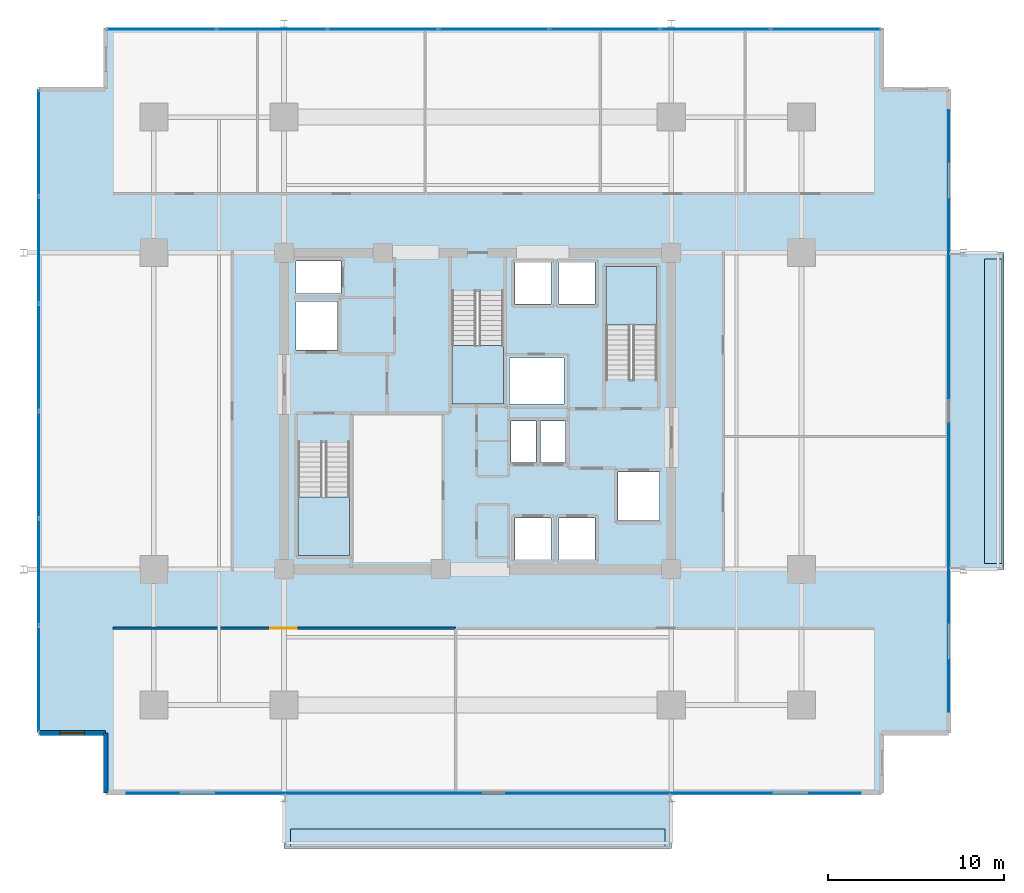
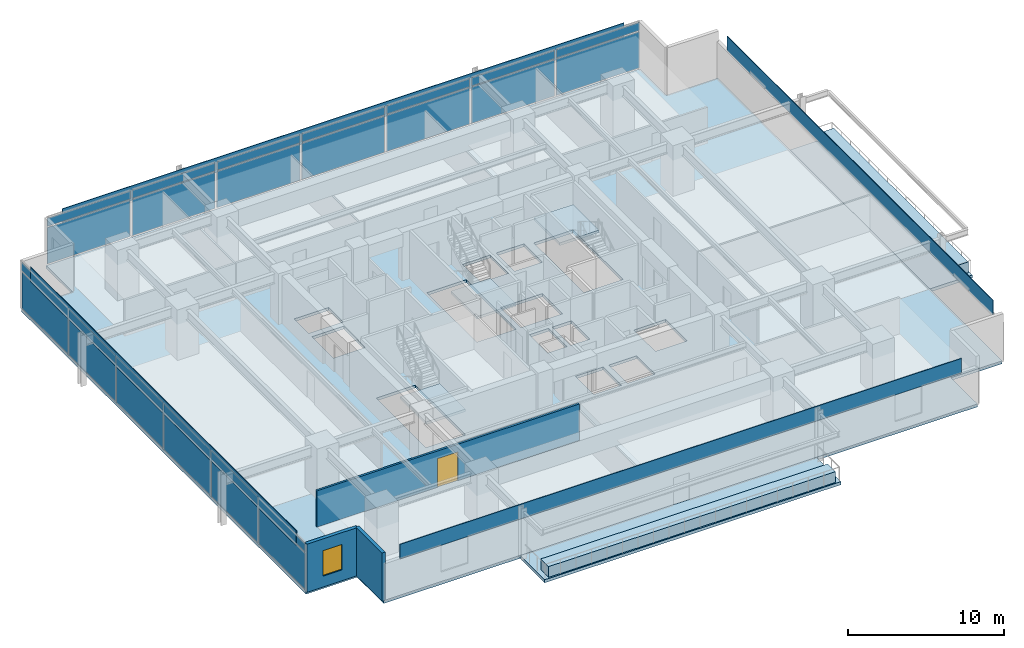
# One storey, part 12 of 21: 30 plates, 8 slabs, 3 walls, 1 door, 1 window, 2 openings, 5 elements without a shape of their own.
"""IFC4 building model written with IfcOpenShell, lengths in metres."""

from ifc_helpers import new_model, si_unit, direction, frame, frame_2d, origin, origin_2d, place, context, subcontext, project, spatial, polyline, rectangle, outline, extrude, material, layer, layer_set, type_object, element, fill, aggregate, save


model = new_model("IFC4")

# Units and contexts
model_context = context("Model", 3, precision=1e-05, world=origin(), true_north=direction((0.0, 1.0)))
body_context = subcontext(model_context, "Body", "Model", "MODEL_VIEW")
ifc_project = project(units=[si_unit("LENGTHUNIT", "METRE"), si_unit("AREAUNIT", "SQUARE_METRE"), si_unit("VOLUMEUNIT", "CUBIC_METRE"), si_unit("PLANEANGLEUNIT", "RADIAN"), si_unit("MASSUNIT", "GRAM", prefix="KILO")], contexts=[model_context])

# Site, building, storey
site_placement = place(None, origin())
site = spatial("IfcSite", under=ifc_project, at=site_placement, CompositionType="ELEMENT")
building_placement = place(site_placement, origin())
building = spatial("IfcBuilding", under=site, at=building_placement, Name="Kovane Verandah Tower", CompositionType="ELEMENT")
storey_placement = place(building_placement, frame((0.0, 0.0, 176.39990234375)))
storey = spatial("IfcBuildingStorey", under=building, at=storey_placement, Name="L41", CompositionType="ELEMENT", Elevation=176.39990234375)

# Curtain wall, plates
ifc_material_1 = material(Name="Champagne Anodised Aluminium Frame with Low-E Clear Laminated Glass", Category="aluminium")
curtain_wall_type = type_object("IfcCurtainWallType", Name="CW-SYS-03-MID", PredefinedType="NOTDEFINED", material=ifc_material_1)
curtain_wall_1_placement = place(storey_placement, origin())
curtain_wall_1 = element("IfcCurtainWall", 1, at=curtain_wall_1_placement, inside=storey, type_object=curtain_wall_type, Name="L41 N Unitised Curtain Wall", PredefinedType="NOTDEFINED")
ifc_material_2 = material(Name="Pale Champagne Anodised Aluminium Insulated Spandrel", Category="aluminium")
ifc_layer_1 = layer(ifc_material_2, 0.0400390625)
ifc_layer_set_1 = layer_set([ifc_layer_1], Name="Pale Champagne Anodised Aluminium Insulated Spandrel")
plate_type_1 = type_object("IfcPlateType", Name="PL-CW-SPD-40", PredefinedType="SHEET", material=ifc_layer_set_1)
plate_1_placement = place(storey_placement, frame((59.806396484375, 49.195068359375, 3.044921875), z_axis=(0.0, 0.0, 1.0), x_axis=(-1.0, 0.0, 0.0)))
plate_1 = element("IfcPlate", 2, at=plate_1_placement, type_object=plate_type_1, Name="L41 N Unitised Curtain Wall Spandrel Panel 1", PredefinedType="SHEET", context=body_context, shape_type="SweptSolid", body=[
    extrude(rectangle(XDim=6.15869140625, YDim=0.0400390625, at=origin_2d()), origin(), (0.0, 0.0, 1.0), 0.639892578125),
])
plate_2_placement = place(storey_placement, frame((53.507568359375, 49.195068359375, 3.044921875), z_axis=(0.0, 0.0, 1.0), x_axis=(-1.0, 0.0, 0.0)))
plate_2 = element("IfcPlate", 3, at=plate_2_placement, type_object=plate_type_1, Name="L41 N Unitised Curtain Wall Spandrel Panel 2", PredefinedType="SHEET", context=body_context, shape_type="SweptSolid", body=[
    extrude(rectangle(XDim=6.15869140625, YDim=0.0400390625, at=origin_2d()), origin(), (0.0, 0.0, 1.0), 0.639892578125),
])
plate_3_placement = place(storey_placement, frame((47.208740234375, 49.195068359375, 3.044921875), z_axis=(0.0, 0.0, 1.0), x_axis=(-1.0, 0.0, 0.0)))
plate_3 = element("IfcPlate", 4, at=plate_3_placement, type_object=plate_type_1, Name="L41 N Unitised Curtain Wall Spandrel Panel 3", PredefinedType="SHEET", context=body_context, shape_type="SweptSolid", body=[
    extrude(rectangle(XDim=6.15869140625, YDim=0.0400390625, at=origin_2d()), origin(), (0.0, 0.0, 1.0), 0.639892578125),
])
plate_4_placement = place(storey_placement, frame((40.909912109375, 49.195068359375, 3.044921875), z_axis=(0.0, 0.0, 1.0), x_axis=(-1.0, 0.0, 0.0)))
plate_4 = element("IfcPlate", 5, at=plate_4_placement, type_object=plate_type_1, Name="L41 N Unitised Curtain Wall Spandrel Panel 4", PredefinedType="SHEET", context=body_context, shape_type="SweptSolid", body=[
    extrude(rectangle(XDim=6.15869140625, YDim=0.0400390625, at=origin_2d()), origin(), (0.0, 0.0, 1.0), 0.639892578125),
])
plate_5_placement = place(storey_placement, frame((34.611083984375, 49.195068359375, 3.044921875), z_axis=(0.0, 0.0, 1.0), x_axis=(-1.0, 0.0, 0.0)))
plate_5 = element("IfcPlate", 6, at=plate_5_placement, type_object=plate_type_1, Name="L41 N Unitised Curtain Wall Spandrel Panel 5", PredefinedType="SHEET", context=body_context, shape_type="SweptSolid", body=[
    extrude(rectangle(XDim=6.15869140625, YDim=0.0400390625, at=origin_2d()), origin(), (0.0, 0.0, 1.0), 0.639892578125),
])
plate_6_placement = place(storey_placement, frame((28.3125, 49.195068359375, 3.044921875), z_axis=(0.0, 0.0, 1.0), x_axis=(-1.0, 0.0, 0.0)))
plate_6 = element("IfcPlate", 7, at=plate_6_placement, type_object=plate_type_1, Name="L41 N Unitised Curtain Wall Spandrel Panel 6", PredefinedType="SHEET", context=body_context, shape_type="SweptSolid", body=[
    extrude(rectangle(XDim=6.15869140625, YDim=0.0400390625, at=origin_2d()), origin(), (0.0, 0.0, 1.0), 0.639892578125),
])
plate_7_placement = place(storey_placement, frame((22.013671875, 49.195068359375, 3.044921875), z_axis=(0.0, 0.0, 1.0), x_axis=(-1.0, 0.0, 0.0)))
plate_7 = element("IfcPlate", 8, at=plate_7_placement, type_object=plate_type_1, Name="L41 N Unitised Curtain Wall Spandrel Panel 7", PredefinedType="SHEET", context=body_context, shape_type="SweptSolid", body=[
    extrude(rectangle(XDim=6.15869140625, YDim=0.0400390625, at=origin_2d()), origin(), (0.0, 0.0, 1.0), 0.639892578125),
])

curtain_wall_2_placement = place(storey_placement, origin())
curtain_wall_2 = element("IfcCurtainWall", 9, at=curtain_wall_2_placement, inside=storey, type_object=curtain_wall_type, Name="L41 W Unitised Curtain Wall", PredefinedType="NOTDEFINED")
plate_8_placement = place(storey_placement, frame((15.064208984375, 42.745849609375, 3.044921875), z_axis=(0.0, 0.0, 1.0), x_axis=(0.0, -1.0, 0.0)))
plate_8 = element("IfcPlate", 10, at=plate_8_placement, type_object=plate_type_1, Name="L41 W Unitised Curtain Wall Spandrel Panel 1", PredefinedType="SHEET", context=body_context, shape_type="SweptSolid", body=[
    extrude(rectangle(XDim=5.958251953125, YDim=0.0400390625, at=origin_2d()), origin(), (0.0, 0.0, 1.0), 0.639892578125),
])
plate_9_placement = place(storey_placement, frame((15.064208984375, 36.6474609375, 3.044921875), z_axis=(0.0, 0.0, 1.0), x_axis=(0.0, -1.0, 0.0)))
plate_9 = element("IfcPlate", 11, at=plate_9_placement, type_object=plate_type_1, Name="L41 W Unitised Curtain Wall Spandrel Panel 2", PredefinedType="SHEET", context=body_context, shape_type="SweptSolid", body=[
    extrude(rectangle(XDim=5.958251953125, YDim=0.0400390625, at=origin_2d()), origin(), (0.0, 0.0, 1.0), 0.639892578125),
])
plate_10_placement = place(storey_placement, frame((15.064208984375, 30.54931640625, 3.044921875), z_axis=(0.0, 0.0, 1.0), x_axis=(0.0, -1.0, 0.0)))
plate_10 = element("IfcPlate", 12, at=plate_10_placement, type_object=plate_type_1, Name="L41 W Unitised Curtain Wall Spandrel Panel 3", PredefinedType="SHEET", context=body_context, shape_type="SweptSolid", body=[
    extrude(rectangle(XDim=5.958251953125, YDim=0.0400390625, at=origin_2d()), origin(), (0.0, 0.0, 1.0), 0.639892578125),
])
plate_11_placement = place(storey_placement, frame((15.064208984375, 24.45068359375, 3.044921875), z_axis=(0.0, 0.0, 1.0), x_axis=(0.0, -1.0, 0.0)))
plate_11 = element("IfcPlate", 13, at=plate_11_placement, type_object=plate_type_1, Name="L41 W Unitised Curtain Wall Spandrel Panel 4", PredefinedType="SHEET", context=body_context, shape_type="SweptSolid", body=[
    extrude(rectangle(XDim=5.958251953125, YDim=0.0400390625, at=origin_2d()), origin(), (0.0, 0.0, 1.0), 0.639892578125),
])
plate_12_placement = place(storey_placement, frame((15.064208984375, 18.3525390625, 3.044921875), z_axis=(0.0, 0.0, 1.0), x_axis=(0.0, -1.0, 0.0)))
plate_12 = element("IfcPlate", 14, at=plate_12_placement, type_object=plate_type_1, Name="L41 W Unitised Curtain Wall Spandrel Panel 5", PredefinedType="SHEET", context=body_context, shape_type="SweptSolid", body=[
    extrude(rectangle(XDim=5.958251953125, YDim=0.0400390625, at=origin_2d()), origin(), (0.0, 0.0, 1.0), 0.639892578125),
])
plate_13_placement = place(storey_placement, frame((15.064208984375, 12.254150390625, 3.044921875), z_axis=(0.0, 0.0, 1.0), x_axis=(0.0, -1.0, 0.0)))
plate_13 = element("IfcPlate", 15, at=plate_13_placement, type_object=plate_type_1, Name="L41 W Unitised Curtain Wall Spandrel Panel 6", PredefinedType="SHEET", context=body_context, shape_type="SweptSolid", body=[
    extrude(rectangle(XDim=5.958251953125, YDim=0.0400390625, at=origin_2d()), origin(), (0.0, 0.0, 1.0), 0.639892578125),
])

# Plate
ifc_material_3 = material(Name="Clear Low-E Laminated Double Glazing", Category="glass")
ifc_layer_2 = layer(ifc_material_3, 0.031982421875)
ifc_layer_set_2 = layer_set([ifc_layer_2], Name="Clear Low-E Laminated Double Glazing")
plate_type_2 = type_object("IfcPlateType", Name="PL-CW-VIS-32", PredefinedType="CURTAIN_PANEL", material=ifc_layer_set_2)
plate_14_placement = place(storey_placement, frame((59.806396484375, 49.195068359375, 0.10009765625), z_axis=(0.0, 0.0, 1.0), x_axis=(-1.0, 0.0, 0.0)))
plate_14 = element("IfcPlate", 16, at=plate_14_placement, type_object=plate_type_2, Name="L41 N Unitised Curtain Wall Vision Panel 1", PredefinedType="CURTAIN_PANEL", context=body_context, shape_type="SweptSolid", body=[
    extrude(rectangle(XDim=6.15869140625, YDim=0.031982421875, at=origin_2d()), origin(), (0.0, 0.0, 1.0), 2.844970703125),
])

plate_15_placement = place(storey_placement, frame((53.507568359375, 49.195068359375, 0.10009765625), z_axis=(0.0, 0.0, 1.0), x_axis=(-1.0, 0.0, 0.0)))
plate_15 = element("IfcPlate", 17, at=plate_15_placement, type_object=plate_type_2, Name="L41 N Unitised Curtain Wall Vision Panel 2", PredefinedType="CURTAIN_PANEL", context=body_context, shape_type="SweptSolid", body=[
    extrude(rectangle(XDim=6.15869140625, YDim=0.031982421875, at=origin_2d()), origin(), (0.0, 0.0, 1.0), 2.844970703125),
])

plate_16_placement = place(storey_placement, frame((47.208740234375, 49.195068359375, 0.10009765625), z_axis=(0.0, 0.0, 1.0), x_axis=(-1.0, 0.0, 0.0)))
plate_16 = element("IfcPlate", 18, at=plate_16_placement, type_object=plate_type_2, Name="L41 N Unitised Curtain Wall Vision Panel 3", PredefinedType="CURTAIN_PANEL", context=body_context, shape_type="SweptSolid", body=[
    extrude(rectangle(XDim=6.15869140625, YDim=0.031982421875, at=origin_2d()), origin(), (0.0, 0.0, 1.0), 2.844970703125),
])

plate_17_placement = place(storey_placement, frame((40.909912109375, 49.195068359375, 0.10009765625), z_axis=(0.0, 0.0, 1.0), x_axis=(-1.0, 0.0, 0.0)))
plate_17 = element("IfcPlate", 19, at=plate_17_placement, type_object=plate_type_2, Name="L41 N Unitised Curtain Wall Vision Panel 4", PredefinedType="CURTAIN_PANEL", context=body_context, shape_type="SweptSolid", body=[
    extrude(rectangle(XDim=6.15869140625, YDim=0.031982421875, at=origin_2d()), origin(), (0.0, 0.0, 1.0), 2.844970703125),
])

plate_18_placement = place(storey_placement, frame((34.611083984375, 49.195068359375, 0.10009765625), z_axis=(0.0, 0.0, 1.0), x_axis=(-1.0, 0.0, 0.0)))
plate_18 = element("IfcPlate", 20, at=plate_18_placement, type_object=plate_type_2, Name="L41 N Unitised Curtain Wall Vision Panel 5", PredefinedType="CURTAIN_PANEL", context=body_context, shape_type="SweptSolid", body=[
    extrude(rectangle(XDim=6.15869140625, YDim=0.031982421875, at=origin_2d()), origin(), (0.0, 0.0, 1.0), 2.844970703125),
])

plate_19_placement = place(storey_placement, frame((28.3125, 49.195068359375, 0.10009765625), z_axis=(0.0, 0.0, 1.0), x_axis=(-1.0, 0.0, 0.0)))
plate_19 = element("IfcPlate", 21, at=plate_19_placement, type_object=plate_type_2, Name="L41 N Unitised Curtain Wall Vision Panel 6", PredefinedType="CURTAIN_PANEL", context=body_context, shape_type="SweptSolid", body=[
    extrude(rectangle(XDim=6.15869140625, YDim=0.031982421875, at=origin_2d()), origin(), (0.0, 0.0, 1.0), 2.844970703125),
])

plate_20_placement = place(storey_placement, frame((22.013671875, 49.195068359375, 0.10009765625), z_axis=(0.0, 0.0, 1.0), x_axis=(-1.0, 0.0, 0.0)))
plate_20 = element("IfcPlate", 22, at=plate_20_placement, type_object=plate_type_2, Name="L41 N Unitised Curtain Wall Vision Panel 7", PredefinedType="CURTAIN_PANEL", context=body_context, shape_type="SweptSolid", body=[
    extrude(rectangle(XDim=6.15869140625, YDim=0.031982421875, at=origin_2d()), origin(), (0.0, 0.0, 1.0), 2.844970703125),
])

aggregate(curtain_wall_1, [plate_14, plate_1, plate_15, plate_2, plate_16, plate_3, plate_17, plate_4, plate_18, plate_5, plate_19, plate_6, plate_20, plate_7])

plate_21_placement = place(storey_placement, frame((15.064208984375, 42.745849609375, 0.10009765625), z_axis=(0.0, 0.0, 1.0), x_axis=(0.0, -1.0, 0.0)))
plate_21 = element("IfcPlate", 23, at=plate_21_placement, type_object=plate_type_2, Name="L41 W Unitised Curtain Wall Vision Panel 1", PredefinedType="CURTAIN_PANEL", context=body_context, shape_type="SweptSolid", body=[
    extrude(rectangle(XDim=5.958251953125, YDim=0.031982421875, at=origin_2d()), origin(), (0.0, 0.0, 1.0), 2.844970703125),
])

plate_22_placement = place(storey_placement, frame((15.064208984375, 36.6474609375, 0.10009765625), z_axis=(0.0, 0.0, 1.0), x_axis=(0.0, -1.0, 0.0)))
plate_22 = element("IfcPlate", 24, at=plate_22_placement, type_object=plate_type_2, Name="L41 W Unitised Curtain Wall Vision Panel 2", PredefinedType="CURTAIN_PANEL", context=body_context, shape_type="SweptSolid", body=[
    extrude(rectangle(XDim=5.958251953125, YDim=0.031982421875, at=origin_2d()), origin(), (0.0, 0.0, 1.0), 2.844970703125),
])

plate_23_placement = place(storey_placement, frame((15.064208984375, 30.54931640625, 0.10009765625), z_axis=(0.0, 0.0, 1.0), x_axis=(0.0, -1.0, 0.0)))
plate_23 = element("IfcPlate", 25, at=plate_23_placement, type_object=plate_type_2, Name="L41 W Unitised Curtain Wall Vision Panel 3", PredefinedType="CURTAIN_PANEL", context=body_context, shape_type="SweptSolid", body=[
    extrude(rectangle(XDim=5.958251953125, YDim=0.031982421875, at=origin_2d()), origin(), (0.0, 0.0, 1.0), 2.844970703125),
])

plate_24_placement = place(storey_placement, frame((15.064208984375, 24.45068359375, 0.10009765625), z_axis=(0.0, 0.0, 1.0), x_axis=(0.0, -1.0, 0.0)))
plate_24 = element("IfcPlate", 26, at=plate_24_placement, type_object=plate_type_2, Name="L41 W Unitised Curtain Wall Vision Panel 4", PredefinedType="CURTAIN_PANEL", context=body_context, shape_type="SweptSolid", body=[
    extrude(rectangle(XDim=5.958251953125, YDim=0.031982421875, at=origin_2d()), origin(), (0.0, 0.0, 1.0), 2.844970703125),
])

plate_25_placement = place(storey_placement, frame((15.064208984375, 18.3525390625, 0.10009765625), z_axis=(0.0, 0.0, 1.0), x_axis=(0.0, -1.0, 0.0)))
plate_25 = element("IfcPlate", 27, at=plate_25_placement, type_object=plate_type_2, Name="L41 W Unitised Curtain Wall Vision Panel 5", PredefinedType="CURTAIN_PANEL", context=body_context, shape_type="SweptSolid", body=[
    extrude(rectangle(XDim=5.958251953125, YDim=0.031982421875, at=origin_2d()), origin(), (0.0, 0.0, 1.0), 2.844970703125),
])

plate_26_placement = place(storey_placement, frame((15.064208984375, 12.254150390625, 0.10009765625), z_axis=(0.0, 0.0, 1.0), x_axis=(0.0, -1.0, 0.0)))
plate_26 = element("IfcPlate", 28, at=plate_26_placement, type_object=plate_type_2, Name="L41 W Unitised Curtain Wall Vision Panel 6", PredefinedType="CURTAIN_PANEL", context=body_context, shape_type="SweptSolid", body=[
    extrude(rectangle(XDim=5.958251953125, YDim=0.031982421875, at=origin_2d()), origin(), (0.0, 0.0, 1.0), 2.844970703125),
])

aggregate(curtain_wall_2, [plate_21, plate_8, plate_22, plate_9, plate_23, plate_10, plate_24, plate_11, plate_25, plate_12, plate_26, plate_13])

# Plates
ifc_material_4 = material(Name="Perforated Pale Champagne Anodised Aluminium Solar Screen", Category="aluminium")
ifc_layer_3 = layer(ifc_material_4, 0.050048828125)
ifc_layer_set_3 = layer_set([ifc_layer_3], Name="Perforated Pale Champagne Anodised Aluminium Solar Screen")
plate_type_3 = type_object("IfcPlateType", Name="PL-SCREEN-50", PredefinedType="USERDEFINED", material=ifc_layer_set_3)
plate_27_placement = place(storey_placement, frame((40.909912109375, 5.7900390625, 2.875244140625), z_axis=(0.0, 0.0, 1.0), x_axis=(1.0, 0.0, 0.0)))
element("IfcPlate", 29, at=plate_27_placement, inside=storey, type_object=plate_type_3, Name="L41 S Perforated Champagne-Gold Solar Screen", ObjectType="SCREEN", PredefinedType="USERDEFINED", context=body_context, shape_type="SweptSolid", body=[
    extrude(rectangle(XDim=41.69091796875, YDim=0.050048828125, at=origin_2d()), origin(), (0.0, 0.0, 1.0), 1.14990234375),
])
plate_28_placement = place(storey_placement, frame((66.770751953125, 27.5, 2.875244140625), z_axis=(0.0, 0.0, 1.0), x_axis=(0.0, 1.0, 0.0)))
element("IfcPlate", 30, at=plate_28_placement, inside=storey, type_object=plate_type_3, Name="L41 E Perforated Champagne-Gold Solar Screen", ObjectType="SCREEN", PredefinedType="USERDEFINED", context=body_context, shape_type="SweptSolid", body=[
    extrude(rectangle(XDim=34.18994140625, YDim=0.050048828125, at=origin_2d()), origin(), (0.0, 0.0, 1.0), 1.14990234375),
])
plate_29_placement = place(storey_placement, frame((40.909912109375, 49.2099609375, 2.875244140625), z_axis=(0.0, 0.0, 1.0), x_axis=(-1.0, 0.0, 0.0)))
element("IfcPlate", 31, at=plate_29_placement, inside=storey, type_object=plate_type_3, Name="L41 N Perforated Champagne-Gold Solar Screen", ObjectType="SCREEN", PredefinedType="USERDEFINED", context=body_context, shape_type="SweptSolid", body=[
    extrude(rectangle(XDim=41.69091796875, YDim=0.050048828125, at=origin_2d()), origin(), (0.0, 0.0, 1.0), 1.14990234375),
])
plate_30_placement = place(storey_placement, frame((15.04931640625, 27.5, 2.875244140625), z_axis=(0.0, 0.0, 1.0), x_axis=(0.0, -1.0, 0.0)))
element("IfcPlate", 32, at=plate_30_placement, inside=storey, type_object=plate_type_3, Name="L41 W Perforated Champagne-Gold Solar Screen", ObjectType="SCREEN", PredefinedType="USERDEFINED", context=body_context, shape_type="SweptSolid", body=[
    extrude(rectangle(XDim=34.18994140625, YDim=0.050048828125, at=origin_2d()), origin(), (0.0, 0.0, 1.0), 1.14990234375),
])

# Slabs
ifc_material_5 = material(Name="Concrete C45/55", Category="concrete")
ifc_layer_4 = layer(ifc_material_5, 0.239990234375)
ifc_layer_set_4 = layer_set([ifc_layer_4], Name="Concrete C45/55")
slab_type_1 = type_object("IfcSlabType", Name="SL-BALC-240", PredefinedType="FLOOR", material=ifc_layer_set_4)
slab_1_placement = place(storey_placement, frame((0.0, 0.0, -0.239990234375)))
element("IfcSlab", 33, at=slab_1_placement, inside=storey, type_object=slab_type_1, Name="L41 S Planted Verandah Balcony Slab", PredefinedType="FLOOR", context=body_context, shape_type="SweptSolid", body=[
    extrude(outline(polyline([(29.0, 2.655029296875), (51.0, 2.655029296875), (51.0, 5.804931640625), (29.0, 5.804931640625), (29.0, 2.655029296875)])), origin(), (0.0, 0.0, 1.0), 0.239990234375),
])
slab_2_placement = place(storey_placement, frame((0.0, 0.0, -0.239990234375)))
element("IfcSlab", 34, at=slab_2_placement, inside=storey, type_object=slab_type_1, Name="L41 E Planted Verandah Balcony Slab", PredefinedType="FLOOR", context=body_context, shape_type="SweptSolid", body=[
    extrude(outline(polyline([(66.755615234375, 18.5), (69.90576171875, 18.5), (69.90576171875, 36.5), (66.755615234375, 36.5), (66.755615234375, 18.5)])), origin(), (0.0, 0.0, 1.0), 0.239990234375),
])

# Stair, slab
stair_type = type_object("IfcStairType", Name="ST-CORE-1380", PredefinedType="HALF_TURN_STAIR", material=ifc_material_5)
stair_1_placement = place(storey_placement, origin())
stair_1 = element("IfcStair", 35, at=stair_1_placement, inside=storey, type_object=stair_type, Name="L41 Exit Stair ST-01", PredefinedType="HALF_TURN_STAIR")
ifc_layer_5 = layer(ifc_material_5, 0.199951171875)
ifc_layer_set_5 = layer_set([ifc_layer_5], Name="Concrete C45/55")
slab_type_2 = type_object("IfcSlabType", Name="SL-LAND-200", PredefinedType="LANDING", material=ifc_layer_set_5)
slab_3_placement = place(storey_placement, frame((0.0, 0.0, 1.800048828125)))
slab_3 = element("IfcSlab", 36, at=slab_3_placement, type_object=slab_type_2, Name="ST-01 landing 1", PredefinedType="LANDING", context=body_context, shape_type="SweptSolid", body=[
    extrude(outline(polyline([(29.800048828125, 22.614990234375), (29.800048828125, 19.300048828125), (32.719970703125, 19.300048828125), (32.719970703125, 22.614990234375), (29.800048828125, 22.614990234375)])), origin(), (0.0, 0.0, 1.0), 0.199951171875),
])
aggregate(stair_1, [slab_3])

stair_2_placement = place(storey_placement, origin())
stair_2 = element("IfcStair", 37, at=stair_2_placement, inside=storey, type_object=stair_type, Name="L41 Exit Stair ST-02", PredefinedType="HALF_TURN_STAIR")
slab_4_placement = place(storey_placement, frame((0.0, 0.0, 1.800048828125)))
slab_4 = element("IfcSlab", 38, at=slab_4_placement, type_object=slab_type_2, Name="ST-02 landing 1", PredefinedType="LANDING", context=body_context, shape_type="SweptSolid", body=[
    extrude(outline(polyline([(50.199951171875, 32.385009765625), (50.199951171875, 35.699951171875), (47.280029296875, 35.699951171875), (47.280029296875, 32.385009765625), (50.199951171875, 32.385009765625)])), origin(), (0.0, 0.0, 1.0), 0.199951171875),
])
aggregate(stair_2, [slab_4])

stair_3_placement = place(storey_placement, origin())
stair_3 = element("IfcStair", 39, at=stair_3_placement, inside=storey, type_object=stair_type, Name="L41 Exit Stair ST-03", PredefinedType="HALF_TURN_STAIR")
slab_5_placement = place(storey_placement, frame((0.0, 0.0, 1.800048828125)))
slab_5 = element("IfcSlab", 40, at=slab_5_placement, type_object=slab_type_2, Name="ST-03 landing 1", PredefinedType="LANDING", context=body_context, shape_type="SweptSolid", body=[
    extrude(outline(polyline([(38.5400390625, 31.215087890625), (38.5400390625, 27.89990234375), (41.4599609375, 27.89990234375), (41.4599609375, 31.215087890625), (38.5400390625, 31.215087890625)])), origin(), (0.0, 0.0, 1.0), 0.199951171875),
])
aggregate(stair_3, [slab_5])

# Slabs
ifc_layer_6 = layer(ifc_material_5, 0.22509765625)
ifc_layer_set_6 = layer_set([ifc_layer_6], Name="Concrete C45/55")
slab_type_3 = type_object("IfcSlabType", Name="SL-MID-225", PredefinedType="FLOOR", material=ifc_layer_set_6)
slab_6_placement = place(storey_placement, frame((0.0, 0.0, -0.224853515625)))
element("IfcSlab", 41, at=slab_6_placement, inside=storey, type_object=slab_type_3, Name="L41 Structural Floor Slab", PredefinedType="FLOOR", context=body_context, shape_type="SweptSolid", body=[
    extrude(outline(polyline([(18.8642578125, 5.804931640625), (62.955810546875, 5.804931640625), (62.955810546875, 9.205078125), (66.755615234375, 9.205078125), (66.755615234375, 45.794921875), (62.955810546875, 45.794921875), (62.955810546875, 49.195068359375), (18.8642578125, 49.195068359375), (18.8642578125, 45.794921875), (15.064208984375, 45.794921875), (15.064208984375, 9.205078125), (18.8642578125, 9.205078125), (18.8642578125, 5.804931640625)]), holes=[polyline([(29.800048828125, 19.300048828125), (32.719970703125, 19.300048828125), (32.719970703125, 25.705078125), (29.800048828125, 25.705078125), (29.800048828125, 19.300048828125)]), polyline([(47.280029296875, 29.294921875), (50.199951171875, 29.294921875), (50.199951171875, 35.699951171875), (47.280029296875, 35.699951171875), (47.280029296875, 29.294921875)]), polyline([(38.5400390625, 27.89990234375), (41.4599609375, 27.89990234375), (41.4599609375, 34.304931640625), (38.5400390625, 34.304931640625), (38.5400390625, 27.89990234375)]), polyline([(29.669921875, 30.969970703125), (32.030029296875, 30.969970703125), (32.030029296875, 33.72998046875), (29.669921875, 33.72998046875), (29.669921875, 30.969970703125)]), polyline([(47.969970703125, 21.27001953125), (50.330078125, 21.27001953125), (50.330078125, 24.030029296875), (47.969970703125, 24.030029296875), (47.969970703125, 21.27001953125)]), polyline([(29.669921875, 34.169921875), (32.22998046875, 34.169921875), (32.22998046875, 36.030029296875), (29.669921875, 36.030029296875), (29.669921875, 34.169921875)]), polyline([(42.1201171875, 19.070068359375), (44.179931640625, 19.070068359375), (44.179931640625, 21.429931640625), (42.1201171875, 21.429931640625), (42.1201171875, 19.070068359375)]), polyline([(44.6201171875, 19.070068359375), (46.679931640625, 19.070068359375), (46.679931640625, 21.429931640625), (44.6201171875, 21.429931640625), (44.6201171875, 19.070068359375)]), polyline([(41.8798828125, 24.570068359375), (43.320068359375, 24.570068359375), (43.320068359375, 26.929931640625), (41.8798828125, 26.929931640625), (41.8798828125, 24.570068359375)]), polyline([(43.580078125, 24.570068359375), (45.0, 24.570068359375), (45.0, 26.929931640625), (43.580078125, 26.929931640625), (43.580078125, 24.570068359375)]), polyline([(42.1201171875, 33.570068359375), (44.179931640625, 33.570068359375), (44.179931640625, 35.929931640625), (42.1201171875, 35.929931640625), (42.1201171875, 33.570068359375)]), polyline([(44.6201171875, 33.570068359375), (46.679931640625, 33.570068359375), (46.679931640625, 35.929931640625), (44.6201171875, 35.929931640625), (44.6201171875, 33.570068359375)]), polyline([(41.800048828125, 27.89990234375), (44.89990234375, 27.89990234375), (44.89990234375, 30.5), (41.800048828125, 30.5), (41.800048828125, 27.89990234375)])]), origin(), (0.0, 0.0, 1.0), 0.224853515625),
])
ifc_material_6 = material(Name="Architectural Precast Concrete C45/55 Planter Trough", Category="concrete")
ifc_layer_7 = layer(ifc_material_6, 0.219970703125)
ifc_layer_set_7 = layer_set([ifc_layer_7], Name="Architectural Precast Concrete C45/55 Planter Trough")
slab_type_4 = type_object("IfcSlabType", Name="SL-PLANTER-220", PredefinedType="USERDEFINED", material=ifc_layer_set_7)
slab_7_placement = place(storey_placement, origin())
element("IfcSlab", 42, at=slab_7_placement, inside=storey, type_object=slab_type_4, Name="L41 S Structural Tree Planter", ObjectType="PLANTER", PredefinedType="USERDEFINED", context=body_context, shape_type="SweptSolid", body=[
    extrude(outline(polyline([(29.35009765625, 2.7548828125), (50.64990234375, 2.7548828125), (50.64990234375, 3.7548828125), (29.35009765625, 3.7548828125), (29.35009765625, 2.7548828125)])), origin(), (0.0, 0.0, 1.0), 0.85009765625),
])
slab_8_placement = place(storey_placement, origin())
element("IfcSlab", 43, at=slab_8_placement, inside=storey, type_object=slab_type_4, Name="L41 E Structural Tree Planter", ObjectType="PLANTER", PredefinedType="USERDEFINED", context=body_context, shape_type="SweptSolid", body=[
    extrude(outline(polyline([(68.8056640625, 18.85009765625), (69.8056640625, 18.85009765625), (69.8056640625, 36.14990234375), (68.8056640625, 36.14990234375), (68.8056640625, 18.85009765625)])), origin(), (0.0, 0.0, 1.0), 0.85009765625),
])

# Wall, opening, door
ifc_material_7 = material(Name="Fire-Rated Gypsum Stud Partition", Category="gypsum")
ifc_layer_8 = layer(ifc_material_7, 0.14990234375)
ifc_layer_set_8 = layer_set([ifc_layer_8], Name="Fire-Rated Gypsum Stud Partition")
wall_type_1 = type_object("IfcWallType", Name="WL-COR-150", PredefinedType="PARTITIONING", material=ifc_layer_set_8)
wall_1_placement = place(storey_placement, frame((19.264404296875, 15.14990234375, 0.0), z_axis=(0.0, 0.0, 1.0), x_axis=(1.0, 0.0, 0.0)))
wall_1 = element("IfcWall", 44, at=wall_1_placement, inside=storey, type_object=wall_type_1, Name="L41 Client Boardroom S1 Corridor Partition", PredefinedType="PARTITIONING", context=body_context, shape_type="SweptSolid", body=[
    extrude(rectangle(XDim=19.48095703125, YDim=0.14990234375, at=frame_2d((9.740478515625, 0.0))), origin(), (0.0, 0.0, 1.0), 2.85009765625),
])
opening_1_placement = place(wall_1_placement, frame((8.95556640625, 0.0, 0.0)))
opening_1 = element("IfcOpeningElement", 45, at=opening_1_placement, cuts=wall_1, Name="Opening DR-L41-021", PredefinedType="OPENING", context=body_context, shape_type="SweptSolid", body=[
    extrude(rectangle(XDim=1.5, YDim=2.25, at=frame_2d((0.75, 1.125))), frame((0.0, 0.074951171875, 0.0), z_axis=(0.0, -1.0, 0.0), x_axis=(1.0, 0.0, 0.0)), (0.0, 0.0, 1.0), 0.14990234375),
])
ifc_material_8 = material(Name="Glazed Timber Fire-Rated Double Door", Category="wood")
door_type = type_object("IfcDoorType", Name="DR-CONF-1500", OperationType="DOUBLE_DOOR_SINGLE_SWING", PredefinedType="DOOR", material=ifc_material_8)
door_placement = place(opening_1_placement, origin())
door = element("IfcDoor", 46, at=door_placement, inside=storey, type_object=door_type, Name="L41 Client Boardroom S1 Entrance Door", OperationType="DOUBLE_DOOR_SINGLE_SWING", OverallHeight=2.25, OverallWidth=1.5, PredefinedType="DOOR", context=body_context, shape_type="SweptSolid", body=[
    extrude(rectangle(XDim=1.5, YDim=2.25, at=frame_2d((0.75, 1.125))), frame((0.0, 0.02490234375, 0.0), z_axis=(0.0, -1.0, 0.0), x_axis=(1.0, 0.0, 0.0)), (0.0, 0.0, 1.0), 0.050048828125),
])
fill(opening_1, door)

# Wall, opening, window
ifc_material_9 = material(Name="Concrete C45/55 Insulated Spandrel Wall", Category="concrete")
ifc_layer_9 = layer(ifc_material_9, 0.260009765625)
ifc_layer_set_9 = layer_set([ifc_layer_9], Name="Concrete C45/55 Insulated Spandrel Wall")
wall_type_2 = type_object("IfcWallType", Name="WL-SPANDREL-260", PredefinedType="PARAPET", material=ifc_layer_set_9)
wall_2_placement = place(storey_placement, frame((15.064208984375, 9.205078125, 0.0), z_axis=(0.0, 0.0, 1.0), x_axis=(1.0, 0.0, 0.0)))
wall_2 = element("IfcWall", 47, at=wall_2_placement, inside=storey, type_object=wall_type_2, Name="L41 SW Notch Cheek Wall 1", PredefinedType="PARAPET", context=body_context, shape_type="SweptSolid", body=[
    extrude(rectangle(XDim=3.800048828125, YDim=0.260009765625, at=frame_2d((1.89990234375, 0.0))), origin(), (0.0, 0.0, 1.0), 3.775146484375),
])
opening_2_placement = place(wall_2_placement, frame((1.199951171875, 0.0, 0.85009765625)))
opening_2 = element("IfcOpeningElement", 48, at=opening_2_placement, cuts=wall_2, Name="Opening W-01", PredefinedType="OPENING", context=body_context, shape_type="SweptSolid", body=[
    extrude(rectangle(XDim=1.39990234375, YDim=2.0, at=frame_2d((0.699951171875, 1.0))), frame((0.0, 0.1298828125, 0.0), z_axis=(0.0, -1.0, 0.0), x_axis=(1.0, 0.0, 0.0)), (0.0, 0.0, 1.0), 0.260009765625),
])
ifc_material_10 = material(Name="Clear Low-E Laminated Double Glazing in Anodised Frame", Category="glass")
window_type = type_object("IfcWindowType", Name="WN-OPER-1400x2000", PartitioningType="SINGLE_PANEL", PredefinedType="WINDOW", material=ifc_material_10)
window_placement = place(opening_2_placement, origin())
window = element("IfcWindow", 49, at=window_placement, inside=storey, type_object=window_type, Name="L41 SW Re-Entrant Corner Operable Window", OverallHeight=2.0, OverallWidth=1.39990234375, PartitioningType="SINGLE_PANEL", PredefinedType="WINDOW", context=body_context, shape_type="SweptSolid", body=[
    extrude(rectangle(XDim=1.39990234375, YDim=2.0, at=frame_2d((0.699951171875, 1.0))), frame((0.0, 0.030029296875, 0.0), z_axis=(0.0, -1.0, 0.0), x_axis=(1.0, 0.0, 0.0)), (0.0, 0.0, 1.0), 0.06005859375),
])
fill(opening_2, window)

# Wall
wall_3_placement = place(storey_placement, frame((18.8642578125, 9.205078125, 0.0), z_axis=(0.0, 0.0, 1.0), x_axis=(0.0, -1.0, 0.0)))
element("IfcWall", 50, at=wall_3_placement, inside=storey, type_object=wall_type_2, Name="L41 SW Notch Cheek Wall 2", PredefinedType="PARAPET", context=body_context, shape_type="SweptSolid", body=[
    extrude(rectangle(XDim=3.400146484375, YDim=0.260009765625, at=frame_2d((1.7001953125, 0.0))), origin(), (0.0, 0.0, 1.0), 3.775146484375),
])

save(model, "model.ifc")
